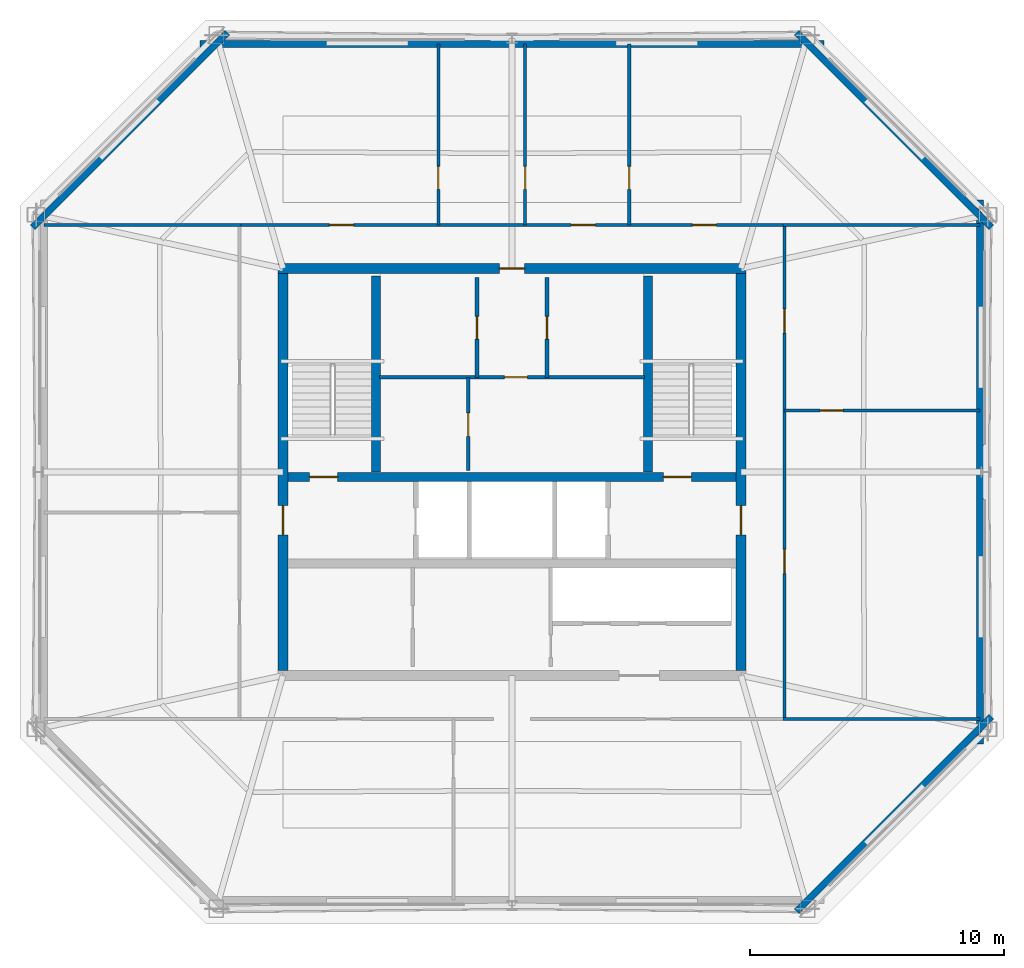
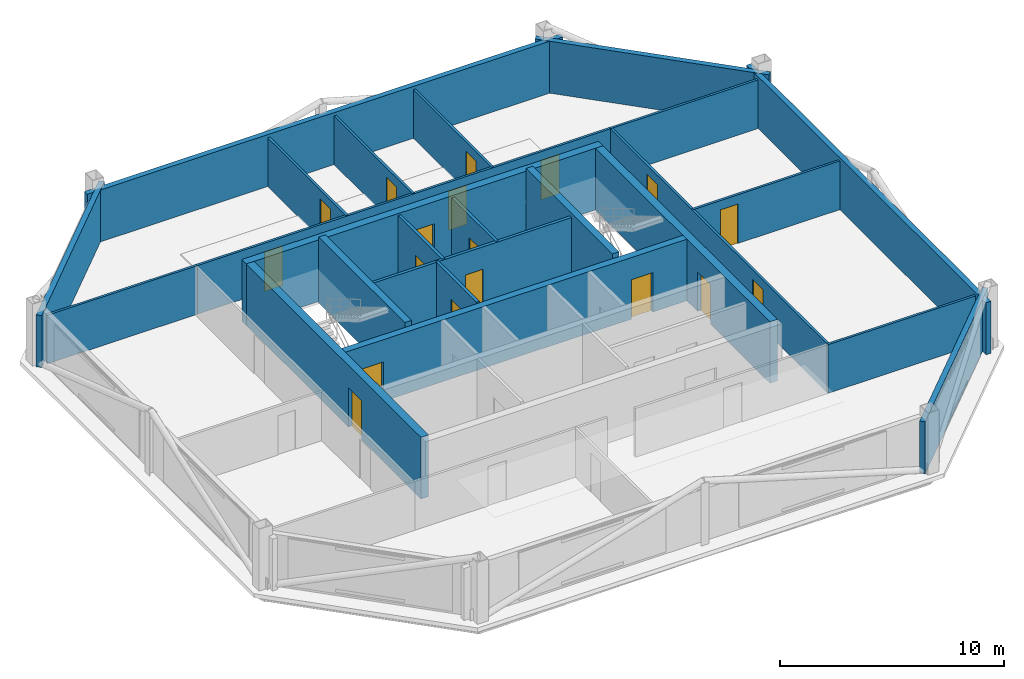
# One storey, part 3 of 6: 24 walls, 18 doors, 18 openings.
"""IFC4 building model written with IfcOpenShell, lengths in metres."""

from ifc_helpers import new_model, si_unit, direction, frame, frame_2d, origin, place, context, subcontext, project, spatial, rectangle, extrude, material, layer, layer_set, type_object, element, fill, save


model = new_model("IFC4")

# Units and contexts
model_context = context("Model", 3, precision=1e-05, world=origin(), true_north=direction((0.0, 1.0)))
body_context = subcontext(model_context, "Body", "Model", "MODEL_VIEW")
ifc_project = project(units=[si_unit("LENGTHUNIT", "METRE"), si_unit("AREAUNIT", "SQUARE_METRE"), si_unit("VOLUMEUNIT", "CUBIC_METRE"), si_unit("PLANEANGLEUNIT", "RADIAN"), si_unit("MASSUNIT", "GRAM", prefix="KILO")], contexts=[model_context])

# Site, building, storey
site_placement = place(None, origin())
site = spatial("IfcSite", under=ifc_project, at=site_placement, CompositionType="ELEMENT")
building_placement = place(site_placement, origin())
building = spatial("IfcBuilding", under=site, at=building_placement, Name="Caelvoria Tower", CompositionType="ELEMENT")
storey_placement = place(building_placement, frame((0.0, 0.0, 250.199951171875)))
storey = spatial("IfcBuildingStorey", under=building, at=storey_placement, Name="L66", CompositionType="ELEMENT", Elevation=250.199951171875)

# Wall, openings, doors
ifc_material_1 = material(Name="Concrete C50/60", Category="concrete")
ifc_layer_1 = layer(ifc_material_1, 0.35009765625, Name="Concrete C50/60")
ifc_layer_set_1 = layer_set([ifc_layer_1], Name="Core Internal Shear Wall 350 - Concrete C50/60")
wall_type_1 = type_object("IfcWallType", Name="Core Internal Shear Wall 350", PredefinedType="SHEAR", material=ifc_layer_set_1)
wall_1_placement = place(storey_placement, frame((37.199951171875, 31.800048828125, 0.0), z_axis=(0.0, 0.0, 1.0), x_axis=(1.0, 0.0, 0.0)))
wall_1 = element("IfcWall", 1, at=wall_1_placement, inside=storey, type_object=wall_type_1, Name="Core Shear Wall L66 M1", PredefinedType="SHEAR", context=body_context, shape_type="SweptSolid", body=[
    extrude(rectangle(XDim=17.60009765625, YDim=0.35009765625, at=frame_2d((8.800048828125, 0.0))), origin(), (0.0, 0.0, 1.0), 3.360107421875),
])
opening_1_placement = place(wall_1_placement, frame((0.85009765625, 0.0, 0.0)))
opening_1 = element("IfcOpeningElement", 2, at=opening_1_placement, cuts=wall_1, Name="Opening ID-01", PredefinedType="OPENING", context=body_context, shape_type="SweptSolid", body=[
    extrude(rectangle(XDim=1.10009765625, YDim=2.14990234375, at=frame_2d((0.550048828125, 1.074951171875))), frame((0.0, 0.18505859375, 0.0), z_axis=(0.0, -1.0, 0.0), x_axis=(1.0, 0.0, 0.0)), (0.0, 0.0, 1.0), 0.3701171875),
])
opening_2_placement = place(wall_1_placement, frame((14.75, 0.0, 0.0)))
opening_2 = element("IfcOpeningElement", 3, at=opening_2_placement, cuts=wall_1, Name="Opening ID-01", PredefinedType="OPENING", context=body_context, shape_type="SweptSolid", body=[
    extrude(rectangle(XDim=1.10009765625, YDim=2.14990234375, at=frame_2d((0.550048828125, 1.074951171875))), frame((0.0, 0.18505859375, 0.0), z_axis=(0.0, -1.0, 0.0), x_axis=(1.0, 0.0, 0.0)), (0.0, 0.0, 1.0), 0.3701171875),
])
ifc_material_2 = material(Name="Painted Hollow Steel Fire Door", Category="steel")
door_type_1 = type_object("IfcDoorType", Name="Fire Door FD90S 1100x2150", OperationType="NOTDEFINED", PredefinedType="DOOR", material=ifc_material_2)
door_1_placement = place(opening_1_placement, origin())
door_1 = element("IfcDoor", 4, at=door_1_placement, inside=storey, type_object=door_type_1, Name="Core Door DR-L66-ST1", OperationType="SINGLE_SWING_LEFT", OverallHeight=2.14990234375, OverallWidth=1.10009765625, PredefinedType="DOOR", context=body_context, shape_type="SweptSolid", body=[
    extrude(rectangle(XDim=1.10009765625, YDim=2.14990234375, at=frame_2d((0.550048828125, 1.074951171875))), frame((0.0, 0.02490234375, 0.0), z_axis=(0.0, -1.0, 0.0), x_axis=(1.0, 0.0, 0.0)), (0.0, 0.0, 1.0), 0.050048828125),
])
fill(opening_1, door_1)
door_2_placement = place(opening_2_placement, origin())
door_2 = element("IfcDoor", 5, at=door_2_placement, inside=storey, type_object=door_type_1, Name="Core Door DR-L66-ST2", OperationType="SINGLE_SWING_RIGHT", OverallHeight=2.14990234375, OverallWidth=1.10009765625, PredefinedType="DOOR", context=body_context, shape_type="SweptSolid", body=[
    extrude(rectangle(XDim=1.10009765625, YDim=2.14990234375, at=frame_2d((0.550048828125, 1.074951171875))), frame((0.0, 0.02490234375, 0.0), z_axis=(0.0, -1.0, 0.0), x_axis=(1.0, 0.0, 0.0)), (0.0, 0.0, 1.0), 0.050048828125),
])
fill(opening_2, door_2)

# Walls
for number, where, z_axis, x_axis, name in (
    (6, (40.64990234375, 32.0, 0.0), (0.0, 0.0, 1.0), (0.0, 1.0, 0.0), "Interior Partition IW-L66-ST1E"),
    (7, (51.35009765625, 32.0, 0.0), (0.0, 0.0, 1.0), (0.0, 1.0, 0.0), "Interior Partition IW-L66-ST2W"),
):
    element("IfcWall", number, at=place(storey_placement, frame(where, z_axis=z_axis, x_axis=x_axis)), inside=storey, type_object=wall_type_1, Name=name, PredefinedType="SHEAR", context=body_context, shape_type="SweptSolid", body=[
        extrude(rectangle(XDim=7.699951171875, YDim=0.35009765625, at=frame_2d((3.85009765625, 0.0))), origin(), (0.0, 0.0, 1.0), 3.60009765625),
    ])

# Wall, opening, door
ifc_material_3 = material(Name="Double Gypsum Board on Steel Stud", Category="steel")
ifc_layer_2 = layer(ifc_material_3, 0.14990234375, Name="Double Gypsum Board on Steel Stud")
ifc_layer_set_2 = layer_set([ifc_layer_2], Name="Core Service Acoustic Partition Wall 150 - Double Gypsum Board on Steel Stud")
wall_type_2 = type_object("IfcWallType", Name="Core Service Acoustic Partition Wall 150", PredefinedType="PARTITIONING", material=ifc_layer_set_2)
wall_2_placement = place(storey_placement, frame((44.6201171875, 35.719970703125, 0.0), z_axis=(0.0, 0.0, 1.0), x_axis=(0.0, 1.0, 0.0)))
wall_2 = element("IfcWall", 8, at=wall_2_placement, inside=storey, type_object=wall_type_2, Name="Interior Partition IW-L66-C0L", PredefinedType="PARTITIONING", context=body_context, shape_type="SweptSolid", body=[
    extrude(rectangle(XDim=3.929931640625, YDim=0.14990234375, at=frame_2d((1.96484375, 0.0))), origin(), (0.0, 0.0, 1.0), 3.375),
])
opening_3_placement = place(wall_2_placement, frame((1.5, 0.0, 0.0)))
opening_3 = element("IfcOpeningElement", 9, at=opening_3_placement, cuts=wall_2, Name="Opening ID-06", PredefinedType="OPENING", context=body_context, shape_type="SweptSolid", body=[
    extrude(rectangle(XDim=0.89990234375, YDim=2.14990234375, at=frame_2d((0.449951171875, 1.074951171875))), frame((0.0, 0.0849609375, 0.0), z_axis=(0.0, -1.0, 0.0), x_axis=(1.0, 0.0, 0.0)), (0.0, 0.0, 1.0), 0.169921875),
])
ifc_material_4 = material(Name="Engineered Andean Oak Veneer Door", Category="wood")
door_type_2 = type_object("IfcDoorType", Name="Interior Timber Door 900x2150", OperationType="NOTDEFINED", PredefinedType="DOOR", material=ifc_material_4)
door_3_placement = place(opening_3_placement, origin())
door_3 = element("IfcDoor", 10, at=door_3_placement, inside=storey, type_object=door_type_2, Name="Interior Door DR-L66-C01", OperationType="SINGLE_SWING_LEFT", OverallHeight=2.14990234375, OverallWidth=0.89990234375, PredefinedType="DOOR", context=body_context, shape_type="SweptSolid", body=[
    extrude(rectangle(XDim=0.89990234375, YDim=2.14990234375, at=frame_2d((0.449951171875, 1.074951171875))), frame((0.0, 0.02490234375, 0.0), z_axis=(0.0, -1.0, 0.0), x_axis=(1.0, 0.0, 0.0)), (0.0, 0.0, 1.0), 0.050048828125),
])
fill(opening_3, door_3)

wall_3_placement = place(storey_placement, frame((47.3798828125, 35.719970703125, 0.0), z_axis=(0.0, 0.0, 1.0), x_axis=(0.0, 1.0, 0.0)))
wall_3 = element("IfcWall", 11, at=wall_3_placement, inside=storey, type_object=wall_type_2, Name="Interior Partition IW-L66-C0R", PredefinedType="PARTITIONING", context=body_context, shape_type="SweptSolid", body=[
    extrude(rectangle(XDim=3.929931640625, YDim=0.14990234375, at=frame_2d((1.96484375, 0.0))), origin(), (0.0, 0.0, 1.0), 3.375),
])
opening_4_placement = place(wall_3_placement, frame((1.5, 0.0, 0.0)))
opening_4 = element("IfcOpeningElement", 12, at=opening_4_placement, cuts=wall_3, Name="Opening ID-06", PredefinedType="OPENING", context=body_context, shape_type="SweptSolid", body=[
    extrude(rectangle(XDim=0.89990234375, YDim=2.14990234375, at=frame_2d((0.449951171875, 1.074951171875))), frame((0.0, 0.0849609375, 0.0), z_axis=(0.0, -1.0, 0.0), x_axis=(1.0, 0.0, 0.0)), (0.0, 0.0, 1.0), 0.169921875),
])
door_4_placement = place(opening_4_placement, origin())
door_4 = element("IfcDoor", 13, at=door_4_placement, inside=storey, type_object=door_type_2, Name="Interior Door DR-L66-C02", OperationType="SINGLE_SWING_RIGHT", OverallHeight=2.14990234375, OverallWidth=0.89990234375, PredefinedType="DOOR", context=body_context, shape_type="SweptSolid", body=[
    extrude(rectangle(XDim=0.89990234375, YDim=2.14990234375, at=frame_2d((0.449951171875, 1.074951171875))), frame((0.0, 0.02490234375, 0.0), z_axis=(0.0, -1.0, 0.0), x_axis=(1.0, 0.0, 0.0)), (0.0, 0.0, 1.0), 0.050048828125),
])
fill(opening_4, door_4)

wall_4_placement = place(storey_placement, frame((44.280029296875, 32.050048828125, 0.0), z_axis=(0.0, 0.0, 1.0), x_axis=(0.0, 1.0, 0.0)))
wall_4 = element("IfcWall", 14, at=wall_4_placement, inside=storey, type_object=wall_type_2, Name="Interior Partition IW-L66-C0M", PredefinedType="PARTITIONING", context=body_context, shape_type="SweptSolid", body=[
    extrude(rectangle(XDim=3.669921875, YDim=0.14990234375, at=frame_2d((1.8349609375, 0.0))), origin(), (0.0, 0.0, 1.0), 3.375),
])
opening_5_placement = place(wall_4_placement, frame((1.35009765625, 0.0, 0.0)))
opening_5 = element("IfcOpeningElement", 15, at=opening_5_placement, cuts=wall_4, Name="Opening ID-07", PredefinedType="OPENING", context=body_context, shape_type="SweptSolid", body=[
    extrude(rectangle(XDim=0.919921875, YDim=2.14990234375, at=frame_2d((0.4599609375, 1.074951171875))), frame((0.0, 0.0849609375, 0.0), z_axis=(0.0, -1.0, 0.0), x_axis=(1.0, 0.0, 0.0)), (0.0, 0.0, 1.0), 0.169921875),
])
ifc_material_5 = material(Name="Engineered Andean Oak Accessible Door", Category="wood")
door_type_3 = type_object("IfcDoorType", Name="Accessible WC Door 950x2150", OperationType="NOTDEFINED", PredefinedType="DOOR", material=ifc_material_5)
door_5_placement = place(opening_5_placement, origin())
door_5 = element("IfcDoor", 16, at=door_5_placement, inside=storey, type_object=door_type_3, Name="Interior Door DR-L66-C05", OperationType="SINGLE_SWING_LEFT", OverallHeight=2.14990234375, OverallWidth=0.919921875, PredefinedType="DOOR", context=body_context, shape_type="SweptSolid", body=[
    extrude(rectangle(XDim=0.919921875, YDim=2.14990234375, at=frame_2d((0.4599609375, 1.074951171875))), frame((0.0, 0.02490234375, 0.0), z_axis=(0.0, -1.0, 0.0), x_axis=(1.0, 0.0, 0.0)), (0.0, 0.0, 1.0), 0.050048828125),
])
fill(opening_5, door_5)

wall_5_placement = place(storey_placement, frame((40.800048828125, 35.719970703125, 0.0), z_axis=(0.0, 0.0, 1.0), x_axis=(1.0, 0.0, 0.0)))
wall_5 = element("IfcWall", 17, at=wall_5_placement, inside=storey, type_object=wall_type_2, Name="Interior Partition IW-L66-C0H", PredefinedType="PARTITIONING", context=body_context, shape_type="SweptSolid", body=[
    extrude(rectangle(XDim=10.39990234375, YDim=0.14990234375, at=frame_2d((5.199951171875, 0.0))), origin(), (0.0, 0.0, 1.0), 3.375),
])
opening_6_placement = place(wall_5_placement, frame((4.89990234375, 0.0, 0.0)))
opening_6 = element("IfcOpeningElement", 18, at=opening_6_placement, cuts=wall_5, Name="Opening ID-04", PredefinedType="OPENING", context=body_context, shape_type="SweptSolid", body=[
    extrude(rectangle(XDim=0.89990234375, YDim=2.14990234375, at=frame_2d((0.449951171875, 1.074951171875))), frame((0.0, 0.0849609375, 0.0), z_axis=(0.0, -1.0, 0.0), x_axis=(1.0, 0.0, 0.0)), (0.0, 0.0, 1.0), 0.169921875),
])
ifc_material_6 = material(Name="Acoustic Timber Fire Door", Category="wood")
door_type_4 = type_object("IfcDoorType", Name="Fire Door FD30S 900x2150", OperationType="NOTDEFINED", PredefinedType="DOOR", material=ifc_material_6)
door_6_placement = place(opening_6_placement, origin())
door_6 = element("IfcDoor", 19, at=door_6_placement, inside=storey, type_object=door_type_4, Name="Interior Door DR-L66-C04", OperationType="SINGLE_SWING_RIGHT", OverallHeight=2.14990234375, OverallWidth=0.89990234375, PredefinedType="DOOR", context=body_context, shape_type="SweptSolid", body=[
    extrude(rectangle(XDim=0.89990234375, YDim=2.14990234375, at=frame_2d((0.449951171875, 1.074951171875))), frame((0.0, 0.02490234375, 0.0), z_axis=(0.0, -1.0, 0.0), x_axis=(1.0, 0.0, 0.0)), (0.0, 0.0, 1.0), 0.050048828125),
])
fill(opening_6, door_6)

ifc_layer_3 = layer(ifc_material_1, 0.39990234375, Name="Concrete C50/60")
ifc_layer_set_3 = layer_set([ifc_layer_3], Name="Summit Core Shear Wall 400 - Concrete C50/60")
wall_type_3 = type_object("IfcWallType", Name="Summit Core Shear Wall 400", PredefinedType="SHEAR", material=ifc_layer_set_3)
wall_6_placement = place(storey_placement, frame((36.800048828125, 40.0, 0.0), z_axis=(0.0, 0.0, 1.0), x_axis=(1.0, 0.0, 0.0)))
wall_6 = element("IfcWall", 20, at=wall_6_placement, inside=storey, type_object=wall_type_3, Name="Core Shear Wall L66 N", PredefinedType="SHEAR", context=body_context, shape_type="SweptSolid", body=[
    extrude(rectangle(XDim=18.39990234375, YDim=0.39990234375, at=frame_2d((9.199951171875, 0.0))), origin(), (0.0, 0.0, 1.0), 3.360107421875),
])
opening_7_placement = place(wall_6_placement, frame((8.699951171875, 0.0, 0.0)))
opening_7 = element("IfcOpeningElement", 21, at=opening_7_placement, cuts=wall_6, Name="Opening ID-03", PredefinedType="OPENING", context=body_context, shape_type="SweptSolid", body=[
    extrude(rectangle(XDim=1.0, YDim=2.14990234375, at=frame_2d((0.5, 1.074951171875))), frame((0.0, 0.2099609375, 0.0), z_axis=(0.0, -1.0, 0.0), x_axis=(1.0, 0.0, 0.0)), (0.0, 0.0, 1.0), 0.419921875),
])
door_type_5 = type_object("IfcDoorType", Name="Fire Door FD60S 1000x2150", OperationType="NOTDEFINED", PredefinedType="DOOR", material=ifc_material_2)
door_7_placement = place(opening_7_placement, origin())
door_7 = element("IfcDoor", 22, at=door_7_placement, inside=storey, type_object=door_type_5, Name="Core Door DR-L66-WC-MAIN", OperationType="SINGLE_SWING_RIGHT", OverallHeight=2.14990234375, OverallWidth=1.0, PredefinedType="DOOR", context=body_context, shape_type="SweptSolid", body=[
    extrude(rectangle(XDim=1.0, YDim=2.14990234375, at=frame_2d((0.5, 1.074951171875))), frame((0.0, 0.02490234375, 0.0), z_axis=(0.0, -1.0, 0.0), x_axis=(1.0, 0.0, 0.0)), (0.0, 0.0, 1.0), 0.050048828125),
])
fill(opening_7, door_7)

wall_7_placement = place(storey_placement, frame((37.0, 24.199951171875, 0.0), z_axis=(0.0, 0.0, 1.0), x_axis=(0.0, 1.0, 0.0)))
wall_7 = element("IfcWall", 23, at=wall_7_placement, inside=storey, type_object=wall_type_3, Name="Core Shear Wall L66 W", PredefinedType="SHEAR", context=body_context, shape_type="SweptSolid", body=[
    extrude(rectangle(XDim=15.60009765625, YDim=0.39990234375, at=frame_2d((7.800048828125, 0.0))), origin(), (0.0, 0.0, 1.0), 3.360107421875),
])
opening_8_placement = place(wall_7_placement, frame((5.324951171875, 0.0, 0.0)))
opening_8 = element("IfcOpeningElement", 24, at=opening_8_placement, cuts=wall_7, Name="Opening ID-02", PredefinedType="OPENING", context=body_context, shape_type="SweptSolid", body=[
    extrude(rectangle(XDim=1.14990234375, YDim=2.14990234375, at=frame_2d((0.574951171875, 1.074951171875))), frame((0.0, 0.2099609375, 0.0), z_axis=(0.0, -1.0, 0.0), x_axis=(1.0, 0.0, 0.0)), (0.0, 0.0, 1.0), 0.419921875),
])
door_type_6 = type_object("IfcDoorType", Name="Fire Door FD60S 1150x2150", OperationType="NOTDEFINED", PredefinedType="DOOR", material=ifc_material_2)
door_8_placement = place(opening_8_placement, origin())
door_8 = element("IfcDoor", 25, at=door_8_placement, inside=storey, type_object=door_type_6, Name="Core Door DR-L66-FFLW-OUT", OperationType="SINGLE_SWING_LEFT", OverallHeight=2.14990234375, OverallWidth=1.14990234375, PredefinedType="DOOR", context=body_context, shape_type="SweptSolid", body=[
    extrude(rectangle(XDim=1.14990234375, YDim=2.14990234375, at=frame_2d((0.574951171875, 1.074951171875))), frame((0.0, 0.02490234375, 0.0), z_axis=(0.0, -1.0, 0.0), x_axis=(1.0, 0.0, 0.0)), (0.0, 0.0, 1.0), 0.050048828125),
])
fill(opening_8, door_8)

wall_8_placement = place(storey_placement, frame((55.0, 24.199951171875, 0.0), z_axis=(0.0, 0.0, 1.0), x_axis=(0.0, 1.0, 0.0)))
wall_8 = element("IfcWall", 26, at=wall_8_placement, inside=storey, type_object=wall_type_3, Name="Core Shear Wall L66 E", PredefinedType="SHEAR", context=body_context, shape_type="SweptSolid", body=[
    extrude(rectangle(XDim=15.60009765625, YDim=0.39990234375, at=frame_2d((7.800048828125, 0.0))), origin(), (0.0, 0.0, 1.0), 3.360107421875),
])
opening_9_placement = place(wall_8_placement, frame((5.324951171875, 0.0, 0.0)))
opening_9 = element("IfcOpeningElement", 27, at=opening_9_placement, cuts=wall_8, Name="Opening ID-02", PredefinedType="OPENING", context=body_context, shape_type="SweptSolid", body=[
    extrude(rectangle(XDim=1.14990234375, YDim=2.14990234375, at=frame_2d((0.574951171875, 1.074951171875))), frame((0.0, 0.2099609375, 0.0), z_axis=(0.0, -1.0, 0.0), x_axis=(1.0, 0.0, 0.0)), (0.0, 0.0, 1.0), 0.419921875),
])
door_9_placement = place(opening_9_placement, origin())
door_9 = element("IfcDoor", 28, at=door_9_placement, inside=storey, type_object=door_type_6, Name="Core Door DR-L66-FFLE-OUT", OperationType="SINGLE_SWING_RIGHT", OverallHeight=2.14990234375, OverallWidth=1.14990234375, PredefinedType="DOOR", context=body_context, shape_type="SweptSolid", body=[
    extrude(rectangle(XDim=1.14990234375, YDim=2.14990234375, at=frame_2d((0.574951171875, 1.074951171875))), frame((0.0, 0.02490234375, 0.0), z_axis=(0.0, -1.0, 0.0), x_axis=(1.0, 0.0, 0.0)), (0.0, 0.0, 1.0), 0.050048828125),
])
fill(opening_9, door_9)

ifc_material_7 = material(Name="Acoustic Gypsum Board on Light-Gauge Stud", Category="gypsum")
ifc_layer_4 = layer(ifc_material_7, 0.1201171875, Name="Acoustic Gypsum Board on Light-Gauge Stud")
ifc_layer_set_4 = layer_set([ifc_layer_4], Name="Tenant Suite Acoustic Partition Wall 120 - Acoustic Gypsum Board on Light-Gauge Stud")
wall_type_4 = type_object("IfcWallType", Name="Tenant Suite Acoustic Partition Wall 120", PredefinedType="PARTITIONING", material=ifc_layer_set_4)
wall_9_placement = place(storey_placement, frame((43.103759765625, 41.7099609375, 0.0), z_axis=(0.0, 0.0, 1.0), x_axis=(0.0, 1.0, 0.0)))
wall_9 = element("IfcWall", 29, at=wall_9_placement, inside=storey, type_object=wall_type_4, Name="Interior Partition IW-L66-ND-00-0", PredefinedType="PARTITIONING", context=body_context, shape_type="SweptSolid", body=[
    extrude(rectangle(XDim=7.113525390625, YDim=0.1201171875, at=frame_2d((3.556640625, 0.0))), origin(), (0.0, 0.0, 1.0), 2.655029296875),
])
opening_10_placement = place(wall_9_placement, frame((1.39990234375, 0.0, 0.0)))
opening_10 = element("IfcOpeningElement", 30, at=opening_10_placement, cuts=wall_9, Name="Opening ID-06", PredefinedType="OPENING", context=body_context, shape_type="SweptSolid", body=[
    extrude(rectangle(XDim=0.89990234375, YDim=2.14990234375, at=frame_2d((0.449951171875, 1.074951171875))), frame((0.0, 0.070068359375, 0.0), z_axis=(0.0, -1.0, 0.0), x_axis=(1.0, 0.0, 0.0)), (0.0, 0.0, 1.0), 0.14013671875),
])
door_10_placement = place(opening_10_placement, origin())
door_10 = element("IfcDoor", 31, at=door_10_placement, inside=storey, type_object=door_type_2, Name="Interior Door DR-L66-NM-00-0", OperationType="SINGLE_SWING_RIGHT", OverallHeight=2.14990234375, OverallWidth=0.89990234375, PredefinedType="DOOR", context=body_context, shape_type="SweptSolid", body=[
    extrude(rectangle(XDim=0.89990234375, YDim=2.14990234375, at=frame_2d((0.449951171875, 1.074951171875))), frame((0.0, 0.02490234375, 0.0), z_axis=(0.0, -1.0, 0.0), x_axis=(1.0, 0.0, 0.0)), (0.0, 0.0, 1.0), 0.050048828125),
])
fill(opening_10, door_10)

wall_10_placement = place(storey_placement, frame((46.518798828125, 41.7099609375, 0.0), z_axis=(0.0, 0.0, 1.0), x_axis=(0.0, 1.0, 0.0)))
wall_10 = element("IfcWall", 32, at=wall_10_placement, inside=storey, type_object=wall_type_4, Name="Interior Partition IW-L66-ND-01-0", PredefinedType="PARTITIONING", context=body_context, shape_type="SweptSolid", body=[
    extrude(rectangle(XDim=7.113525390625, YDim=0.1201171875, at=frame_2d((3.556640625, 0.0))), origin(), (0.0, 0.0, 1.0), 2.655029296875),
])
opening_11_placement = place(wall_10_placement, frame((1.39990234375, 0.0, 0.0)))
opening_11 = element("IfcOpeningElement", 33, at=opening_11_placement, cuts=wall_10, Name="Opening ID-06", PredefinedType="OPENING", context=body_context, shape_type="SweptSolid", body=[
    extrude(rectangle(XDim=0.89990234375, YDim=2.14990234375, at=frame_2d((0.449951171875, 1.074951171875))), frame((0.0, 0.070068359375, 0.0), z_axis=(0.0, -1.0, 0.0), x_axis=(1.0, 0.0, 0.0)), (0.0, 0.0, 1.0), 0.14013671875),
])
door_11_placement = place(opening_11_placement, origin())
door_11 = element("IfcDoor", 34, at=door_11_placement, inside=storey, type_object=door_type_2, Name="Interior Door DR-L66-NM-01-0", OperationType="SINGLE_SWING_LEFT", OverallHeight=2.14990234375, OverallWidth=0.89990234375, PredefinedType="DOOR", context=body_context, shape_type="SweptSolid", body=[
    extrude(rectangle(XDim=0.89990234375, YDim=2.14990234375, at=frame_2d((0.449951171875, 1.074951171875))), frame((0.0, 0.02490234375, 0.0), z_axis=(0.0, -1.0, 0.0), x_axis=(1.0, 0.0, 0.0)), (0.0, 0.0, 1.0), 0.050048828125),
])
fill(opening_11, door_11)

wall_11_placement = place(storey_placement, frame((50.60888671875, 41.7099609375, 0.0), z_axis=(0.0, 0.0, 1.0), x_axis=(0.0, 1.0, 0.0)))
wall_11 = element("IfcWall", 35, at=wall_11_placement, inside=storey, type_object=wall_type_4, Name="Interior Partition IW-L66-ND-02-0", PredefinedType="PARTITIONING", context=body_context, shape_type="SweptSolid", body=[
    extrude(rectangle(XDim=7.113525390625, YDim=0.1201171875, at=frame_2d((3.556640625, 0.0))), origin(), (0.0, 0.0, 1.0), 2.655029296875),
])
opening_12_placement = place(wall_11_placement, frame((1.39990234375, 0.0, 0.0)))
opening_12 = element("IfcOpeningElement", 36, at=opening_12_placement, cuts=wall_11, Name="Opening ID-06", PredefinedType="OPENING", context=body_context, shape_type="SweptSolid", body=[
    extrude(rectangle(XDim=0.89990234375, YDim=2.14990234375, at=frame_2d((0.449951171875, 1.074951171875))), frame((0.0, 0.070068359375, 0.0), z_axis=(0.0, -1.0, 0.0), x_axis=(1.0, 0.0, 0.0)), (0.0, 0.0, 1.0), 0.14013671875),
])
door_12_placement = place(opening_12_placement, origin())
door_12 = element("IfcDoor", 37, at=door_12_placement, inside=storey, type_object=door_type_2, Name="Interior Door DR-L66-NM-02-0", OperationType="SINGLE_SWING_RIGHT", OverallHeight=2.14990234375, OverallWidth=0.89990234375, PredefinedType="DOOR", context=body_context, shape_type="SweptSolid", body=[
    extrude(rectangle(XDim=0.89990234375, YDim=2.14990234375, at=frame_2d((0.449951171875, 1.074951171875))), frame((0.0, 0.02490234375, 0.0), z_axis=(0.0, -1.0, 0.0), x_axis=(1.0, 0.0, 0.0)), (0.0, 0.0, 1.0), 0.050048828125),
])
fill(opening_12, door_12)

# Wall, openings, doors
wall_12_placement = place(storey_placement, frame((35.35009765625, 41.7099609375, 0.0), z_axis=(0.0, 0.0, 1.0), x_axis=(1.0, 0.0, 0.0)))
wall_12 = element("IfcWall", 38, at=wall_12_placement, inside=storey, type_object=wall_type_4, Name="Interior Partition IW-L66-NCW-0", PredefinedType="PARTITIONING", context=body_context, shape_type="SweptSolid", body=[
    extrude(rectangle(XDim=21.2998046875, YDim=0.1201171875, at=frame_2d((10.64990234375, 0.0))), origin(), (0.0, 0.0, 1.0), 2.655029296875),
])
opening_13_placement = place(wall_12_placement, frame((3.471923828125, 0.0, 0.0)))
opening_13 = element("IfcOpeningElement", 39, at=opening_13_placement, cuts=wall_12, Name="Opening ID-05", PredefinedType="OPENING", context=body_context, shape_type="SweptSolid", body=[
    extrude(rectangle(XDim=0.949951171875, YDim=2.14990234375, at=frame_2d((0.47509765625, 1.074951171875))), frame((0.0, 0.070068359375, 0.0), z_axis=(0.0, -1.0, 0.0), x_axis=(1.0, 0.0, 0.0)), (0.0, 0.0, 1.0), 0.14013671875),
])
opening_14_placement = place(wall_12_placement, frame((12.974609375, 0.0, 0.0)))
opening_14 = element("IfcOpeningElement", 40, at=opening_14_placement, cuts=wall_12, Name="Opening ID-05", PredefinedType="OPENING", context=body_context, shape_type="SweptSolid", body=[
    extrude(rectangle(XDim=0.949951171875, YDim=2.14990234375, at=frame_2d((0.47509765625, 1.074951171875))), frame((0.0, 0.070068359375, 0.0), z_axis=(0.0, -1.0, 0.0), x_axis=(1.0, 0.0, 0.0)), (0.0, 0.0, 1.0), 0.14013671875),
])
opening_15_placement = place(wall_12_placement, frame((17.734619140625, 0.0, 0.0)))
opening_15 = element("IfcOpeningElement", 41, at=opening_15_placement, cuts=wall_12, Name="Opening ID-05", PredefinedType="OPENING", context=body_context, shape_type="SweptSolid", body=[
    extrude(rectangle(XDim=0.949951171875, YDim=2.14990234375, at=frame_2d((0.47509765625, 1.074951171875))), frame((0.0, 0.070068359375, 0.0), z_axis=(0.0, -1.0, 0.0), x_axis=(1.0, 0.0, 0.0)), (0.0, 0.0, 1.0), 0.14013671875),
])
door_type_7 = type_object("IfcDoorType", Name="Interior Timber Door 950x2150", OperationType="NOTDEFINED", PredefinedType="DOOR", material=ifc_material_4)
door_13_placement = place(opening_13_placement, origin())
door_13 = element("IfcDoor", 42, at=door_13_placement, inside=storey, type_object=door_type_7, Name="Interior Door DR-L66-NC-00-0", OperationType="SINGLE_SWING_LEFT", OverallHeight=2.14990234375, OverallWidth=0.949951171875, PredefinedType="DOOR", context=body_context, shape_type="SweptSolid", body=[
    extrude(rectangle(XDim=0.949951171875, YDim=2.14990234375, at=frame_2d((0.47509765625, 1.074951171875))), frame((0.0, 0.02490234375, 0.0), z_axis=(0.0, -1.0, 0.0), x_axis=(1.0, 0.0, 0.0)), (0.0, 0.0, 1.0), 0.050048828125),
])
fill(opening_13, door_13)
door_14_placement = place(opening_14_placement, origin())
door_14 = element("IfcDoor", 43, at=door_14_placement, inside=storey, type_object=door_type_7, Name="Interior Door DR-L66-NC-02-0", OperationType="SINGLE_SWING_LEFT", OverallHeight=2.14990234375, OverallWidth=0.949951171875, PredefinedType="DOOR", context=body_context, shape_type="SweptSolid", body=[
    extrude(rectangle(XDim=0.949951171875, YDim=2.14990234375, at=frame_2d((0.47509765625, 1.074951171875))), frame((0.0, 0.02490234375, 0.0), z_axis=(0.0, -1.0, 0.0), x_axis=(1.0, 0.0, 0.0)), (0.0, 0.0, 1.0), 0.050048828125),
])
fill(opening_14, door_14)
door_15_placement = place(opening_15_placement, origin())
door_15 = element("IfcDoor", 44, at=door_15_placement, inside=storey, type_object=door_type_7, Name="Interior Door DR-L66-NC-03-0", OperationType="SINGLE_SWING_RIGHT", OverallHeight=2.14990234375, OverallWidth=0.949951171875, PredefinedType="DOOR", context=body_context, shape_type="SweptSolid", body=[
    extrude(rectangle(XDim=0.949951171875, YDim=2.14990234375, at=frame_2d((0.47509765625, 1.074951171875))), frame((0.0, 0.02490234375, 0.0), z_axis=(0.0, -1.0, 0.0), x_axis=(1.0, 0.0, 0.0)), (0.0, 0.0, 1.0), 0.050048828125),
])
fill(opening_15, door_15)

# Wall, opening, door
wall_13_placement = place(storey_placement, frame((56.7099609375, 34.413330078125, 0.0), z_axis=(0.0, 0.0, 1.0), x_axis=(1.0, 0.0, 0.0)))
wall_13 = element("IfcWall", 45, at=wall_13_placement, inside=storey, type_object=wall_type_4, Name="Interior Partition IW-L66-ED-00-0", PredefinedType="PARTITIONING", context=body_context, shape_type="SweptSolid", body=[
    extrude(rectangle(XDim=7.6865234375, YDim=0.1201171875, at=frame_2d((3.84326171875, 0.0))), origin(), (0.0, 0.0, 1.0), 2.655029296875),
])
opening_16_placement = place(wall_13_placement, frame((1.39990234375, 0.0, 0.0)))
opening_16 = element("IfcOpeningElement", 46, at=opening_16_placement, cuts=wall_13, Name="Opening ID-06", PredefinedType="OPENING", context=body_context, shape_type="SweptSolid", body=[
    extrude(rectangle(XDim=0.89990234375, YDim=2.14990234375, at=frame_2d((0.449951171875, 1.074951171875))), frame((0.0, 0.070068359375, 0.0), z_axis=(0.0, -1.0, 0.0), x_axis=(1.0, 0.0, 0.0)), (0.0, 0.0, 1.0), 0.14013671875),
])
door_16_placement = place(opening_16_placement, origin())
door_16 = element("IfcDoor", 47, at=door_16_placement, inside=storey, type_object=door_type_2, Name="Interior Door DR-L66-EM-00-0", OperationType="SINGLE_SWING_RIGHT", OverallHeight=2.14990234375, OverallWidth=0.89990234375, PredefinedType="DOOR", context=body_context, shape_type="SweptSolid", body=[
    extrude(rectangle(XDim=0.89990234375, YDim=2.14990234375, at=frame_2d((0.449951171875, 1.074951171875))), frame((0.0, 0.02490234375, 0.0), z_axis=(0.0, -1.0, 0.0), x_axis=(1.0, 0.0, 0.0)), (0.0, 0.0, 1.0), 0.050048828125),
])
fill(opening_16, door_16)

# Wall, openings, doors
wall_14_placement = place(storey_placement, frame((56.7099609375, 22.35009765625, 0.0), z_axis=(0.0, 0.0, 1.0), x_axis=(0.0, 1.0, 0.0)))
wall_14 = element("IfcWall", 48, at=wall_14_placement, inside=storey, type_object=wall_type_4, Name="Interior Partition IW-L66-ECW-0", PredefinedType="PARTITIONING", context=body_context, shape_type="SweptSolid", body=[
    extrude(rectangle(XDim=19.2998046875, YDim=0.1201171875, at=frame_2d((9.64990234375, 0.0))), origin(), (0.0, 0.0, 1.0), 2.655029296875),
])
opening_17_placement = place(wall_14_placement, frame((5.65673828125, 0.0, 0.0)))
opening_17 = element("IfcOpeningElement", 49, at=opening_17_placement, cuts=wall_14, Name="Opening ID-05", PredefinedType="OPENING", context=body_context, shape_type="SweptSolid", body=[
    extrude(rectangle(XDim=0.949951171875, YDim=2.14990234375, at=frame_2d((0.47509765625, 1.074951171875))), frame((0.0, 0.070068359375, 0.0), z_axis=(0.0, -1.0, 0.0), x_axis=(1.0, 0.0, 0.0)), (0.0, 0.0, 1.0), 0.14013671875),
])
opening_18_placement = place(wall_14_placement, frame((15.106689453125, 0.0, 0.0)))
opening_18 = element("IfcOpeningElement", 50, at=opening_18_placement, cuts=wall_14, Name="Opening ID-05", PredefinedType="OPENING", context=body_context, shape_type="SweptSolid", body=[
    extrude(rectangle(XDim=0.949951171875, YDim=2.14990234375, at=frame_2d((0.47509765625, 1.074951171875))), frame((0.0, 0.070068359375, 0.0), z_axis=(0.0, -1.0, 0.0), x_axis=(1.0, 0.0, 0.0)), (0.0, 0.0, 1.0), 0.14013671875),
])
door_17_placement = place(opening_17_placement, origin())
door_17 = element("IfcDoor", 51, at=door_17_placement, inside=storey, type_object=door_type_7, Name="Interior Door DR-L66-EC-00-0", OperationType="SINGLE_SWING_LEFT", OverallHeight=2.14990234375, OverallWidth=0.949951171875, PredefinedType="DOOR", context=body_context, shape_type="SweptSolid", body=[
    extrude(rectangle(XDim=0.949951171875, YDim=2.14990234375, at=frame_2d((0.47509765625, 1.074951171875))), frame((0.0, 0.02490234375, 0.0), z_axis=(0.0, -1.0, 0.0), x_axis=(1.0, 0.0, 0.0)), (0.0, 0.0, 1.0), 0.050048828125),
])
fill(opening_17, door_17)
door_18_placement = place(opening_18_placement, origin())
door_18 = element("IfcDoor", 52, at=door_18_placement, inside=storey, type_object=door_type_7, Name="Interior Door DR-L66-EC-01-0", OperationType="SINGLE_SWING_RIGHT", OverallHeight=2.14990234375, OverallWidth=0.949951171875, PredefinedType="DOOR", context=body_context, shape_type="SweptSolid", body=[
    extrude(rectangle(XDim=0.949951171875, YDim=2.14990234375, at=frame_2d((0.47509765625, 1.074951171875))), frame((0.0, 0.02490234375, 0.0), z_axis=(0.0, -1.0, 0.0), x_axis=(1.0, 0.0, 0.0)), (0.0, 0.0, 1.0), 0.050048828125),
])
fill(opening_18, door_18)

# Walls
for number, where, z_axis, x_axis, name in (
    (53, (56.64990234375, 22.2900390625, 0.0), (0.0, 0.0, 1.0), (1.0, 0.0, 0.0), "Interior Partition IW-L66-BSE-0"),
    (54, (35.35009765625, 41.7099609375, 0.0), (0.0, 0.0, 1.0), (-1.0, 0.0, 0.0), "Interior Partition IW-L66-BNW-0"),
    (55, (56.64990234375, 41.7099609375, 0.0), (0.0, 0.0, 1.0), (1.0, 0.0, 0.0), "Interior Partition IW-L66-BNE-0"),
):
    element("IfcWall", number, at=place(storey_placement, frame(where, z_axis=z_axis, x_axis=x_axis)), inside=storey, type_object=wall_type_4, Name=name, PredefinedType="PARTITIONING", context=body_context, shape_type="SweptSolid", body=[
        extrude(rectangle(XDim=7.74658203125, YDim=0.1201171875, at=frame_2d((3.873291015625, 0.0))), origin(), (0.0, 0.0, 1.0), 2.655029296875),
    ])
ifc_material_8 = material(Name="Precast Concrete C40/50 with Bronze Cladding", Category="concrete")
ifc_layer_5 = layer(ifc_material_8, 0.264892578125, Name="Precast Concrete C40/50 with Bronze Cladding")
ifc_layer_set_5 = layer_set([ifc_layer_5], Name="Upper Taper Precast Concrete C40/50 Bronze Facade Wall 265 - Precast Concrete C40/50 with Bronze Cladding")
wall_type_5 = type_object("IfcWallType", Name="Upper Taper Precast Concrete C40/50 Bronze Facade Wall 265", PredefinedType="STANDARD", material=ifc_layer_set_5)
wall_15_placement = place(storey_placement, frame((57.19287109375, 14.7314453125, 0.0), z_axis=(0.0, 0.0, 1.0), x_axis=(0.707106781187, 0.707106781187, 0.0)))
element("IfcWall", 56, at=wall_15_placement, inside=storey, type_object=wall_type_5, Name="Exterior Facade Wall L66-E1", PredefinedType="STANDARD", context=body_context, shape_type="SweptSolid", body=[
    extrude(rectangle(XDim=10.81640625, YDim=0.264892578125, at=frame_2d((5.408203125, 0.0))), origin(), (0.0, 0.0, 1.0), 2.83203125),
])
wall_16_placement = place(storey_placement, frame((64.396484375, 21.305419921875, 0.0), z_axis=(0.0, 0.0, 1.0), x_axis=(0.0, 1.0, 0.0)))
element("IfcWall", 57, at=wall_16_placement, inside=storey, type_object=wall_type_5, Name="Exterior Facade Wall L66-E2", PredefinedType="STANDARD", context=body_context, shape_type="SweptSolid", body=[
    extrude(rectangle(XDim=21.38916015625, YDim=0.264892578125, at=frame_2d((10.694580078125, 0.0))), origin(), (0.0, 0.0, 1.0), 2.83203125),
])
wall_17_placement = place(storey_placement, frame((64.84130859375, 41.6201171875, 0.0), z_axis=(0.0, 0.0, 1.0), x_axis=(-0.707106781187, 0.707106781187, 0.0)))
element("IfcWall", 58, at=wall_17_placement, inside=storey, type_object=wall_type_5, Name="Exterior Facade Wall L66-E3", PredefinedType="STANDARD", context=body_context, shape_type="SweptSolid", body=[
    extrude(rectangle(XDim=10.81640625, YDim=0.264892578125, at=frame_2d((5.408203125, 0.0))), origin(), (0.0, 0.0, 1.0), 2.83203125),
])
wall_18_placement = place(storey_placement, frame((58.267333984375, 48.823486328125, 0.0), z_axis=(0.0, 0.0, 1.0), x_axis=(-1.0, 0.0, 0.0)))
element("IfcWall", 59, at=wall_18_placement, inside=storey, type_object=wall_type_5, Name="Exterior Facade Wall L66-E4", PredefinedType="STANDARD", context=body_context, shape_type="SweptSolid", body=[
    extrude(rectangle(XDim=24.53466796875, YDim=0.264892578125, at=frame_2d((12.267333984375, 0.0))), origin(), (0.0, 0.0, 1.0), 2.83203125),
])
wall_19_placement = place(storey_placement, frame((34.80712890625, 49.2685546875, 0.0), z_axis=(0.0, 0.0, 1.0), x_axis=(-0.707106781187, -0.707106781187, 0.0)))
element("IfcWall", 60, at=wall_19_placement, inside=storey, type_object=wall_type_5, Name="Exterior Facade Wall L66-E5", PredefinedType="STANDARD", context=body_context, shape_type="SweptSolid", body=[
    extrude(rectangle(XDim=10.81640625, YDim=0.264892578125, at=frame_2d((5.408203125, 0.0))), origin(), (0.0, 0.0, 1.0), 2.83203125),
])

save(model, "model.ifc")
